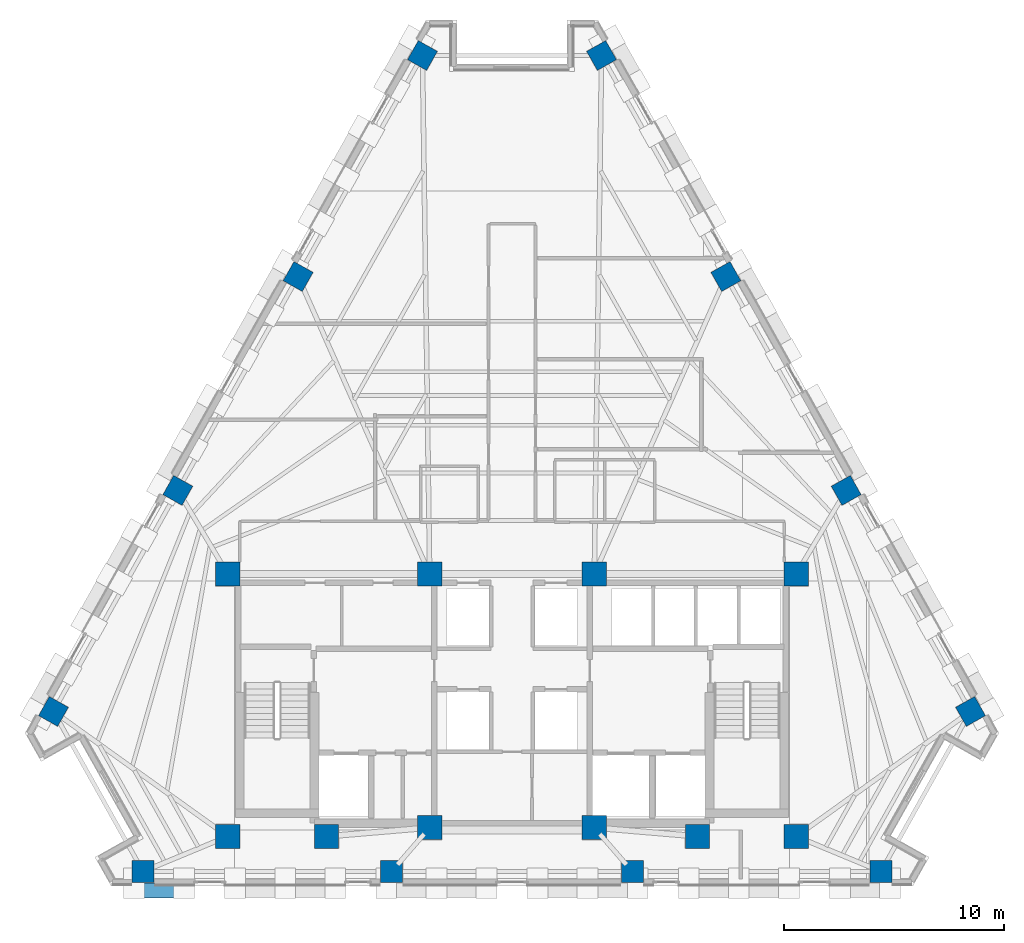
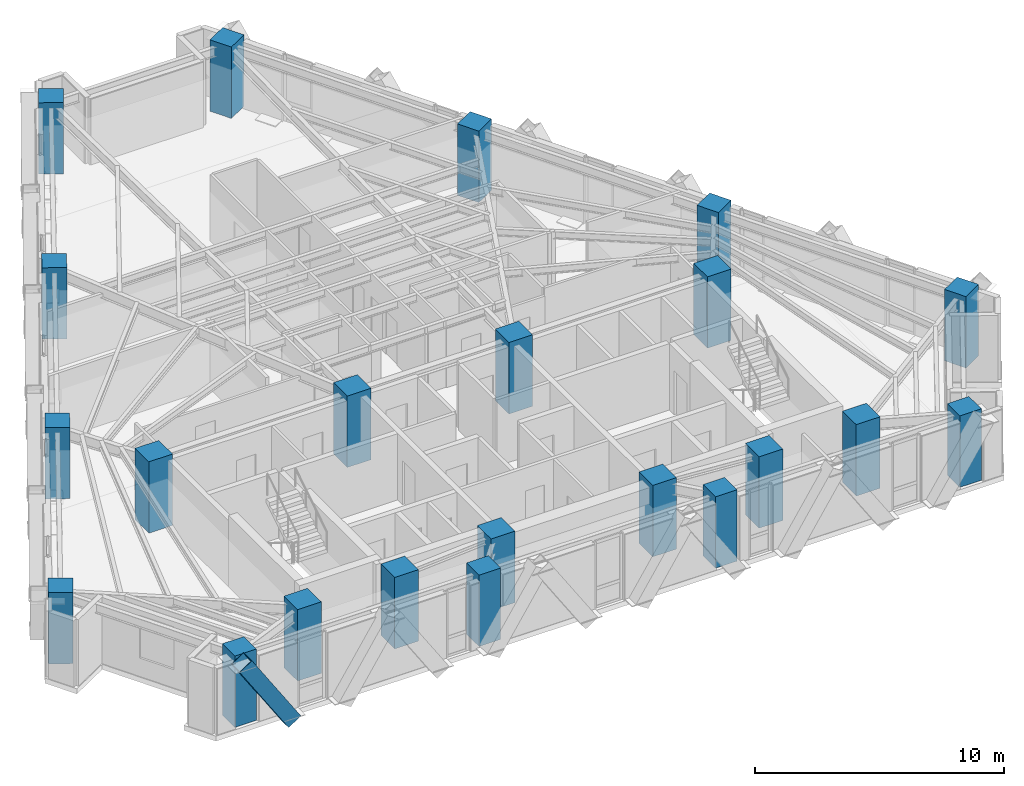
# One storey, part 1 of 13: 22 columns, 1 member.
"""IFC4 building model written with IfcOpenShell, lengths in metres."""

import ifcopenshell
import ifcopenshell.guid

model = None  # the IFC model being written
_history = None  # IfcOwnerHistory: only IFC2X3 demands one
_inside = {}  # id of a spatial element -> (the spatial element, [elements in it])
_under = {}  # id of a project, library or spatial element -> (it, [spatial elements below it])
_declared = {}  # id of a project -> (the project, [libraries it declares])
_typed = {}  # id of a type object -> (the type object, [elements of that type])
_made_of = {}  # id of a material, layer set ... -> (it, [elements and type objects made of it])


def new_model(schema):
    """Start an empty IFC model of exactly this schema.

    Asked for "IFC4X3", IfcOpenShell would pick the latest addendum, in which some entities
    have other attributes; the version numbers below select the first issue.
    IFC2X3 requires an IfcOwnerHistory on every rooted entity: one is made here for all.
    """
    global model, _history
    if schema == "IFC4X3":
        model = ifcopenshell.file(schema_version=(4, 3, 0, 0))
    else:
        model = ifcopenshell.file(schema=schema)
    _inside.clear()
    _under.clear()
    _declared.clear()
    _typed.clear()
    _made_of.clear()
    _history = None
    if model.schema == "IFC2X3":
        org = make("IfcOrganization", Name="unknown")
        user = make(
            "IfcPersonAndOrganization",
            ThePerson=make("IfcPerson", FamilyName="unknown"),
            TheOrganization=org,
        )
        app = make(
            "IfcApplication",
            ApplicationDeveloper=org,
            Version="unknown",
            ApplicationFullName="unknown",
            ApplicationIdentifier="unknown",
        )
        _history = make(
            "IfcOwnerHistory",
            OwningUser=user,
            OwningApplication=app,
            ChangeAction="ADDED",
            CreationDate=0,
        )
    return model


def make(cls, **values):
    """One entity of the class cls with the attributes given. An attribute that is None is left unset."""
    return model.create_entity(
        cls, **{name: value for name, value in values.items() if value is not None}
    )


def rooted(cls, **values):
    """An entity with a GlobalId (a new one), such as an element, a storey or a relation."""
    return make(cls, GlobalId=ifcopenshell.guid.new(), OwnerHistory=_history, **values)


def si_unit(unit_type, name, prefix=None):
    """IfcSIUnit, for example si_unit("LENGTHUNIT", "METRE", prefix="MILLI")."""
    return make("IfcSIUnit", UnitType=unit_type, Prefix=prefix, Name=name)


def assignment(units):
    """IfcUnitAssignment: the units of a project."""
    return None if units is None else make("IfcUnitAssignment", Units=units)


def point(xyz):
    """IfcCartesianPoint."""
    return None if xyz is None else make("IfcCartesianPoint", Coordinates=xyz)


def direction(xyz):
    """IfcDirection."""
    return None if xyz is None else make("IfcDirection", DirectionRatios=xyz)


def frame(location, z_axis=None, x_axis=None):
    """IfcAxis2Placement3D, a coordinate frame: its origin and axes. An axis left out is left unset."""
    return make(
        "IfcAxis2Placement3D",
        Location=point(location),
        Axis=direction(z_axis),
        RefDirection=direction(x_axis),
    )


def frame_2d(location, x_axis=None):
    """IfcAxis2Placement2D, a coordinate frame in the plane: its origin and x axis."""
    return make(
        "IfcAxis2Placement2D", Location=point(location), RefDirection=direction(x_axis)
    )


def origin():
    """The frame at (0, 0, 0) with its axes left unset."""
    return frame((0.0, 0.0, 0.0))


def origin_2d():
    """The frame at (0, 0) in the plane with its x axis left unset."""
    return frame_2d((0.0, 0.0))


def place(relative_to, where):
    """IfcLocalPlacement: puts the frame where relative to a parent placement (None: the world)."""
    return make(
        "IfcLocalPlacement", PlacementRelTo=relative_to, RelativePlacement=where
    )


def context(
    kind, dimensions, precision=None, world=None, true_north=None, identifier=None
):
    """IfcGeometricRepresentationContext, for example the 3D "Model" context."""
    return make(
        "IfcGeometricRepresentationContext",
        ContextIdentifier=identifier,
        ContextType=kind,
        CoordinateSpaceDimension=dimensions,
        Precision=precision,
        WorldCoordinateSystem=world,
        TrueNorth=true_north,
    )


def subcontext(parent, identifier, kind, view, scale=None):
    """IfcGeometricRepresentationSubContext, for example "Body" below "Model"."""
    return make(
        "IfcGeometricRepresentationSubContext",
        ContextIdentifier=identifier,
        ContextType=kind,
        ParentContext=parent,
        TargetScale=scale,
        TargetView=view,
    )


def project(units=None, contexts=None):
    """IfcProject with its units and contexts."""
    return rooted(
        "IfcProject",
        Name="project",
        RepresentationContexts=contexts,
        UnitsInContext=assignment(units),
    )


def spatial(cls, under=None, at=None, **own):
    """A site, building, storey or space (cls), placed at a placement, below another one or the project."""
    s = rooted(cls, ObjectPlacement=at, **own)
    if under is not None:
        _under.setdefault(under.id(), (under, []))[1].append(s)
    return s


def profile(cls, at=None, kind="AREA", **sizes):
    """A parametric profile (cls). Its sizes go by their IFC names, for example OverallWidth=200.0."""
    return make(cls, ProfileType=kind, Position=at, **sizes)


def rectangle(**sizes):
    """IfcRectangleProfileDef."""
    return profile("IfcRectangleProfileDef", **sizes)


def hollow_rectangle(**sizes):
    """IfcRectangleHollowProfileDef."""
    return profile("IfcRectangleHollowProfileDef", **sizes)


def extrude(swept, where, along, depth):
    """IfcExtrudedAreaSolid: the profile swept, set in the frame where, extruded along a direction by depth."""
    return make(
        "IfcExtrudedAreaSolid",
        SweptArea=swept,
        Position=where,
        ExtrudedDirection=direction(along),
        Depth=depth,
    )


def shape(context_of_items, identifier, shape_type, items):
    """IfcShapeRepresentation: the items that make up one representation, for example the "Body"."""
    return make(
        "IfcShapeRepresentation",
        ContextOfItems=context_of_items,
        RepresentationIdentifier=identifier,
        RepresentationType=shape_type,
        Items=items,
    )


def material(Name=None, Category=None):
    """IfcMaterial."""
    return make("IfcMaterial", Name=Name, Category=Category)


def material_profile(
    of_material, cross_section, Name=None, Category=None, Priority=None
):
    """IfcMaterialProfile: a cross section and its material."""
    return make(
        "IfcMaterialProfile",
        Name=Name,
        Material=of_material,
        Profile=cross_section,
        Priority=Priority,
        Category=Category,
    )


def profile_set(profiles, Name=None, composite=None):
    """IfcMaterialProfileSet."""
    return make(
        "IfcMaterialProfileSet",
        Name=Name,
        MaterialProfiles=profiles,
        CompositeProfile=composite,
    )


def made_of(thing, what):
    """Note that an element or type object is made of a material, layer set ...; save() writes the relation."""
    if what is not None:
        _made_of.setdefault(what.id(), (what, []))[1].append(thing)
    return thing


def type_object(cls, material=None, **own):
    """A type object (cls), such as IfcWallType, which elements share."""
    return made_of(rooted(cls, **own), material)


def element(
    cls,
    number,
    at=None,
    inside=None,
    cuts=None,
    type_object=None,
    material=None,
    context=None,
    identifier="Body",
    shape_type=None,
    held_by="IfcProductDefinitionShape",
    body=None,
    shapes=None,
    **own,
):
    """One element of the class cls, such as IfcWall. Its Tag is "e" and its number.

    at: its placement. inside: the storey or other place that contains it. cuts: it is an
    opening in that element (IfcRelVoidsElement). A single representation is given by context,
    identifier, shape_type and body (its items); several are given by shapes. held_by: the class
    of the entity that holds the representations. save() writes the other relations.
    """
    e = rooted(cls, Tag="e%d" % number, ObjectPlacement=at, **own)
    if body is not None:
        shapes = [shape(context, identifier, shape_type, body)]
    if shapes is not None:
        e.Representation = make(held_by, Representations=shapes)
    if inside is not None:
        _inside.setdefault(inside.id(), (inside, []))[1].append(e)
    if cuts is not None:
        rooted(
            "IfcRelVoidsElement", RelatingBuildingElement=cuts, RelatedOpeningElement=e
        )
    if type_object is not None:
        _typed.setdefault(type_object.id(), (type_object, []))[1].append(e)
    return made_of(e, material)


def aggregate(whole, parts):
    """IfcRelAggregates: a whole, such as a stair, and the parts it consists of."""
    return rooted("IfcRelAggregates", RelatingObject=whole, RelatedObjects=parts)


def save(model, path):
    """Write the relations noted so far, then the file.

    IfcRelAggregates (storeys below a building ...), IfcRelContainedInSpatialStructure (elements
    in a storey), IfcRelDefinesByType, IfcRelAssociatesMaterial and IfcRelDeclares: one each for
    every whole, place, type object, material and project.
    """
    for whole, parts in _under.values():
        aggregate(whole, parts)
    for where, things in _inside.values():
        rooted(
            "IfcRelContainedInSpatialStructure",
            RelatedElements=things,
            RelatingStructure=where,
        )
    for kind, things in _typed.values():
        rooted("IfcRelDefinesByType", RelatedObjects=things, RelatingType=kind)
    for what, things in _made_of.values():
        rooted("IfcRelAssociatesMaterial", RelatedObjects=things, RelatingMaterial=what)
    for by, libraries in _declared.values():
        rooted("IfcRelDeclares", RelatingContext=by, RelatedDefinitions=libraries)
    model.write(path)


model = new_model("IFC4")

# Units and contexts
model_context = context("Model", 3, precision=1e-05, world=origin(), true_north=direction((0.0, 1.0)))
body_context = subcontext(model_context, "Body", "Model", "MODEL_VIEW")
ifc_project = project(units=[si_unit("LENGTHUNIT", "METRE"), si_unit("AREAUNIT", "SQUARE_METRE"), si_unit("VOLUMEUNIT", "CUBIC_METRE"), si_unit("PLANEANGLEUNIT", "RADIAN"), si_unit("MASSUNIT", "GRAM", prefix="KILO")], contexts=[model_context])

# Site, building, storey
site_placement = place(None, origin())
site = spatial("IfcSite", under=ifc_project, at=site_placement, CompositionType="ELEMENT")
building_placement = place(site_placement, origin())
building = spatial("IfcBuilding", under=site, at=building_placement, Name="Quenlor Broadcast Tower", CompositionType="ELEMENT")
storey_placement = place(building_placement, frame((0.0, 0.0, 137.0)))
storey = spatial("IfcBuildingStorey", under=building, at=storey_placement, Name="L37", CompositionType="ELEMENT", Elevation=137.0)

# Columns
ifc_material_1 = material(Name="Concrete C65/80", Category="concrete")
ifc_material_profile_1 = material_profile(ifc_material_1, rectangle(XDim=1.10009765625, YDim=1.10009765625, at=origin_2d()))
ifc_profile_set_1 = profile_set([ifc_material_profile_1], Name="Concrete C65/80 RC1100x1100")
column_type_1 = type_object("IfcColumnType", Name="Core Corner Column Mid Concrete C65/80 1100", PredefinedType="COLUMN", material=ifc_profile_set_1)
for number, where, z_axis, x_axis, name in (
    (1, (-12.949951171875, -16.75, 0.0), (0.0, 0.0, 1.0), (1.0, 0.0, 0.0), "L37 Core Column CC1"),
    (2, (-8.449951171875, -16.75, 0.0), (0.0, 0.0, 1.0), (1.0, 0.0, 0.0), "L37 Core Column CC2"),
    (3, (-3.75, -16.35009765625, 0.0), (0.0, 0.0, 1.0), (1.0, 0.0, 0.0), "L37 Core Column CC3"),
    (4, (3.75, -16.35009765625, 0.0), (0.0, 0.0, 1.0), (1.0, 0.0, 0.0), "L37 Core Column CC4"),
    (5, (8.449951171875, -16.75, 0.0), (0.0, 0.0, 1.0), (1.0, 0.0, 0.0), "L37 Core Column CC5"),
    (6, (12.949951171875, -16.75, 0.0), (0.0, 0.0, 1.0), (1.0, 0.0, 0.0), "L37 Core Column CC6"),
    (7, (-12.949951171875, -4.800048828125, 0.0), (0.0, 0.0, 1.0), (1.0, 0.0, 0.0), "L37 Core Column CC7"),
    (8, (-3.75, -4.800048828125, 0.0), (0.0, 0.0, 1.0), (1.0, 0.0, 0.0), "L37 Core Column CC8"),
    (9, (3.75, -4.800048828125, 0.0), (0.0, 0.0, 1.0), (1.0, 0.0, 0.0), "L37 Core Column CC9"),
    (10, (12.949951171875, -4.800048828125, 0.0), (0.0, 0.0, 1.0), (1.0, 0.0, 0.0), "L37 Core Column CC10"),
):
    element("IfcColumn", number, at=place(storey_placement, frame(where, z_axis=z_axis, x_axis=x_axis)), inside=storey, type_object=column_type_1, Name=name, PredefinedType="COLUMN", context=body_context, shape_type="SweptSolid", body=[
        extrude(rectangle(XDim=1.10009765625, YDim=1.10009765625, at=origin_2d()), origin(), (0.0, 0.0, 1.0), 3.5),
    ])
ifc_material_2 = material(Name="Concrete C50/60", Category="concrete")
ifc_material_profile_2 = material_profile(ifc_material_2, rectangle(XDim=1.0, YDim=1.0, at=origin_2d()))
ifc_profile_set_2 = profile_set([ifc_material_profile_2], Name="Concrete C50/60 RC1000x1000")
column_type_2 = type_object("IfcColumnType", Name="Tower Perimeter Column Z3 Concrete C50/60 1000", PredefinedType="COLUMN", material=ifc_profile_set_2)
for number, where, z_axis, x_axis, name in (
    (11, (-16.808349609375, -18.35009765625, 0.0), (0.0, 0.0, 1.0), (0.0, 1.0, 0.0), "L37 Perimeter Column S1"),
    (12, (-5.48095703125, -18.35009765625, 0.0), (0.0, 0.0, 1.0), (0.0, 1.0, 0.0), "L37 Perimeter Column S2"),
    (13, (5.48095703125, -18.35009765625, 0.0), (0.0, 0.0, 1.0), (0.0, 1.0, 0.0), "L37 Perimeter Column S3"),
    (14, (16.808349609375, -18.35009765625, 0.0), (0.0, 0.0, 1.0), (0.0, 1.0, 0.0), "L37 Perimeter Column S4"),
    (15, (20.8876953125, -11.0595703125, 0.0), (0.0, 0.0, 1.0), (0.871575139605, 0.490261946333, 0.0), "L37 Perimeter Column NE1"),
    (16, (15.22412109375, -0.99072265625, 0.0), (0.0, 0.0, 1.0), (0.871575139605, 0.490261946333, 0.0), "L37 Perimeter Column NE2"),
    (17, (9.742919921875, 8.75341796875, 0.0), (0.0, 0.0, 1.0), (0.871575139605, 0.490261946333, 0.0), "L37 Perimeter Column NE3"),
    (18, (4.079345703125, 18.822021484375, 0.0), (0.0, 0.0, 1.0), (0.871575139605, 0.490261946333, 0.0), "L37 Perimeter Column NE4"),
    (19, (-4.079345703125, 18.822021484375, 0.0), (0.0, 0.0, 1.0), (-0.871575139605, 0.490261946333, 0.0), "L37 Perimeter Column NW1"),
    (20, (-9.742919921875, 8.75341796875, 0.0), (0.0, 0.0, 1.0), (-0.871575139605, 0.490261946333, 0.0), "L37 Perimeter Column NW2"),
    (21, (-15.22412109375, -0.99072265625, 0.0), (0.0, 0.0, 1.0), (-0.871575139605, 0.490261946333, 0.0), "L37 Perimeter Column NW3"),
    (22, (-20.8876953125, -11.0595703125, 0.0), (0.0, 0.0, 1.0), (-0.871575139605, 0.490261946333, 0.0), "L37 Perimeter Column NW4"),
):
    element("IfcColumn", number, at=place(storey_placement, frame(where, z_axis=z_axis, x_axis=x_axis)), inside=storey, type_object=column_type_2, Name=name, PredefinedType="COLUMN", context=body_context, shape_type="SweptSolid", body=[
        extrude(rectangle(XDim=1.0, YDim=1.0, at=origin_2d()), origin(), (0.0, 0.0, 1.0), 3.5),
    ])

# Member
ifc_material_3 = material(Name="Steel S355", Category="steel")
ifc_material_profile_3 = material_profile(ifc_material_3, hollow_rectangle(XDim=0.679931640625, YDim=0.679931640625, WallThickness=0.02490234375, at=origin_2d()))
ifc_profile_set_3 = profile_set([ifc_material_profile_3], Name="Steel S355 RHS680x680x25")
member_type = type_object("IfcMemberType", Name="Perimeter Diagonal Lattice Brace Z3-Z4 Steel S355 RHS680x25", PredefinedType="BRACE", material=ifc_profile_set_3)
member_placement = place(storey_placement, frame((-14.937744140625, -19.219970703125, -0.1201171875), z_axis=(-0.543901560697, 0.0, 0.839149028643), x_axis=(0.0, -1.0, 0.0)))
element("IfcMember", 23, at=member_placement, inside=storey, type_object=member_type, Name="L37 Perimeter Diamond Lattice S-C5S", PredefinedType="BRACE", context=body_context, shape_type="SweptSolid", body=[
    extrude(hollow_rectangle(XDim=0.679931640625, YDim=0.679931640625, WallThickness=0.02490234375, at=origin_2d()), origin(), (0.0, 0.0, 1.0), 4.1708984375),
])

save(model, "model.ifc")
